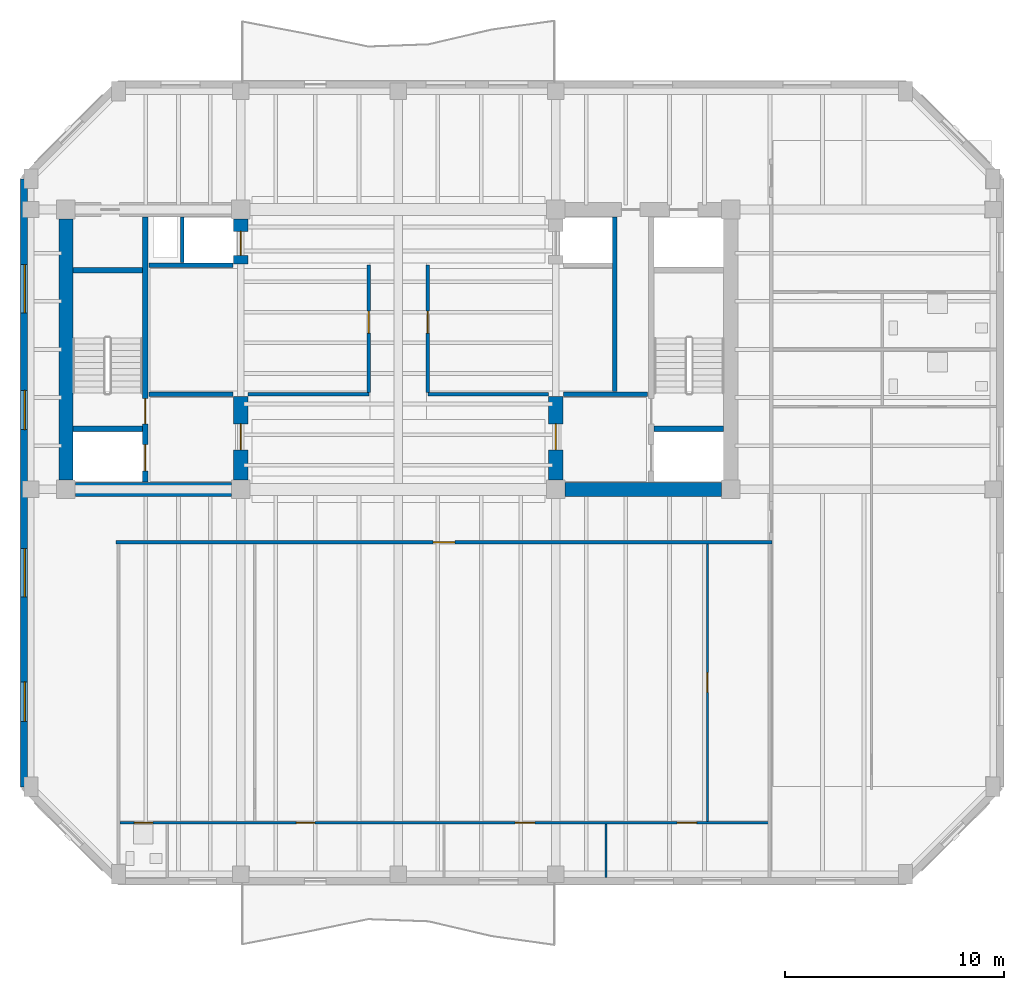
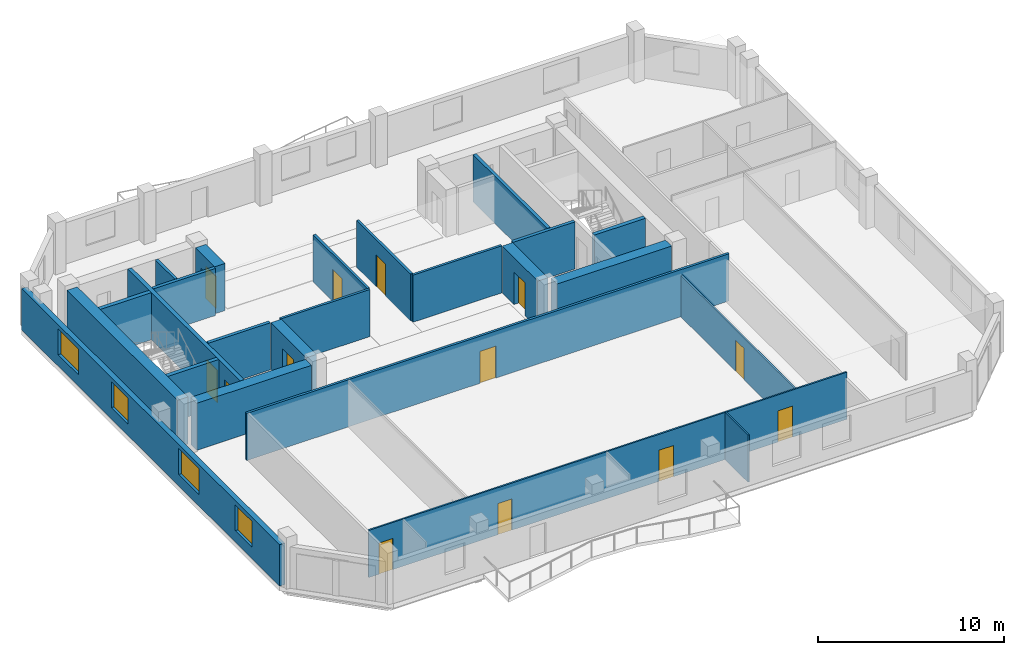
# One storey, part 3 of 9: 24 walls, 13 doors, 4 windows, 17 openings.
"""IFC4 building model written with IfcOpenShell, lengths in metres."""

from ifc_helpers import new_model, si_unit, direction, frame, frame_2d, origin, place, context, subcontext, project, spatial, rectangle, extrude, material, layer, layer_set, type_object, element, fill, save


model = new_model("IFC4")

# Units and contexts
model_context = context("Model", 3, precision=1e-05, world=origin(), true_north=direction((0.0, 1.0)))
body_context = subcontext(model_context, "Body", "Model", "MODEL_VIEW")
ifc_project = project(units=[si_unit("LENGTHUNIT", "METRE"), si_unit("AREAUNIT", "SQUARE_METRE"), si_unit("VOLUMEUNIT", "CUBIC_METRE"), si_unit("PLANEANGLEUNIT", "RADIAN"), si_unit("MASSUNIT", "GRAM", prefix="KILO")], contexts=[model_context])

# Site, building, storey
site_placement = place(None, origin())
site = spatial("IfcSite", under=ifc_project, at=site_placement, CompositionType="ELEMENT")
building_placement = place(site_placement, origin())
building = spatial("IfcBuilding", under=site, at=building_placement, Name="Kranthara Brick Stack", CompositionType="ELEMENT")
storey_placement = place(building_placement, frame((0.0, 0.0, 241.5)))
storey = spatial("IfcBuildingStorey", under=building, at=storey_placement, Name="L63", CompositionType="ELEMENT", Elevation=241.5)

# Wall, openings, windows
ifc_material_1 = material(Name="Warm buff clay brick masonry M15", Category="masonry")
ifc_layer_1 = layer(ifc_material_1, 0.320068359375)
ifc_layer_set_1 = layer_set([ifc_layer_1], Name="Warm buff clay brick masonry M15")
wall_type_1 = type_object("IfcWallType", Name="WL-BRK-UPPR-320", PredefinedType="STANDARD", material=ifc_layer_set_1)
wall_1_placement = place(storey_placement, frame((10.8798828125, 7.199951171875, 0.0), z_axis=(0.0, 0.0, 1.0), x_axis=(0.0, 1.0, 0.0)))
wall_1 = element("IfcWall", 1, at=wall_1_placement, inside=storey, type_object=wall_type_1, Name="L63 Exterior Brick Facade Wall WEST 1", PredefinedType="STANDARD", context=body_context, shape_type="SweptSolid", body=[
    extrude(rectangle(XDim=27.800048828125, YDim=0.320068359375, at=frame_2d((13.89990234375, 0.0))), origin(), (0.0, 0.0, 1.0), 2.72509765625),
])
opening_1_placement = place(wall_1_placement, frame((2.991943359375, 0.0, 0.75)))
opening_1 = element("IfcOpeningElement", 2, at=opening_1_placement, cuts=wall_1, Name="Opening WN07", PredefinedType="OPENING", context=body_context, shape_type="SweptSolid", body=[
    extrude(rectangle(XDim=1.800048828125, YDim=1.699951171875, at=frame_2d((0.89990234375, 0.85009765625))), frame((0.0, 0.169921875, 0.0), z_axis=(0.0, -1.0, 0.0), x_axis=(1.0, 0.0, 0.0)), (0.0, 0.0, 1.0), 0.340087890625),
])
opening_2_placement = place(wall_1_placement, frame((8.68408203125, 0.0, 0.75)))
opening_2 = element("IfcOpeningElement", 3, at=opening_2_placement, cuts=wall_1, Name="Opening WN08", PredefinedType="OPENING", context=body_context, shape_type="SweptSolid", body=[
    extrude(rectangle(XDim=2.199951171875, YDim=1.699951171875, at=frame_2d((1.10009765625, 0.85009765625))), frame((0.0, 0.169921875, 0.0), z_axis=(0.0, -1.0, 0.0), x_axis=(1.0, 0.0, 0.0)), (0.0, 0.0, 1.0), 0.340087890625),
])
opening_3_placement = place(wall_1_placement, frame((16.327880859375, 0.0, 0.75)))
opening_3 = element("IfcOpeningElement", 4, at=opening_3_placement, cuts=wall_1, Name="Opening WN07", PredefinedType="OPENING", context=body_context, shape_type="SweptSolid", body=[
    extrude(rectangle(XDim=1.800048828125, YDim=1.699951171875, at=frame_2d((0.89990234375, 0.85009765625))), frame((0.0, 0.169921875, 0.0), z_axis=(0.0, -1.0, 0.0), x_axis=(1.0, 0.0, 0.0)), (0.0, 0.0, 1.0), 0.340087890625),
])
opening_4_placement = place(wall_1_placement, frame((21.672119140625, 0.0, 0.75)))
opening_4 = element("IfcOpeningElement", 5, at=opening_4_placement, cuts=wall_1, Name="Opening WN08", PredefinedType="OPENING", context=body_context, shape_type="SweptSolid", body=[
    extrude(rectangle(XDim=2.199951171875, YDim=1.699951171875, at=frame_2d((1.10009765625, 0.85009765625))), frame((0.0, 0.169921875, 0.0), z_axis=(0.0, -1.0, 0.0), x_axis=(1.0, 0.0, 0.0)), (0.0, 0.0, 1.0), 0.340087890625),
])
ifc_material_2 = material(Name="Double-glazed low-E solar control glass", Category="glass")
window_type_1 = type_object("IfcWindowType", Name="WN-RES-1800x1850", PartitioningType="DOUBLE_PANEL_VERTICAL", PredefinedType="WINDOW", material=ifc_material_2)
window_1_placement = place(opening_1_placement, origin())
window_1 = element("IfcWindow", 6, at=window_1_placement, inside=storey, type_object=window_type_1, Name="L63 West Deep-Set Brick Window 01", OverallHeight=1.699951171875, OverallWidth=1.800048828125, PartitioningType="SINGLE_PANEL", PredefinedType="WINDOW", context=body_context, shape_type="SweptSolid", body=[
    extrude(rectangle(XDim=1.800048828125, YDim=1.699951171875, at=frame_2d((0.89990234375, 0.85009765625))), frame((0.0, -0.010009765625, 0.0), z_axis=(0.0, -1.0, 0.0), x_axis=(1.0, 0.0, 0.0)), (0.0, 0.0, 1.0), 0.06005859375),
])
fill(opening_1, window_1)
window_2_placement = place(opening_3_placement, origin())
window_2 = element("IfcWindow", 7, at=window_2_placement, inside=storey, type_object=window_type_1, Name="L63 West Deep-Set Brick Window 03", OverallHeight=1.699951171875, OverallWidth=1.800048828125, PartitioningType="SINGLE_PANEL", PredefinedType="WINDOW", context=body_context, shape_type="SweptSolid", body=[
    extrude(rectangle(XDim=1.800048828125, YDim=1.699951171875, at=frame_2d((0.89990234375, 0.85009765625))), frame((0.0, -0.010009765625, 0.0), z_axis=(0.0, -1.0, 0.0), x_axis=(1.0, 0.0, 0.0)), (0.0, 0.0, 1.0), 0.06005859375),
])
fill(opening_3, window_2)
ifc_material_3 = material(Name="Double-glazed low-E solar control glass", Category="glass")
window_type_2 = type_object("IfcWindowType", Name="WN-RES-2200x1850", PartitioningType="TRIPLE_PANEL_VERTICAL", PredefinedType="WINDOW", material=ifc_material_3)
window_3_placement = place(opening_2_placement, origin())
window_3 = element("IfcWindow", 8, at=window_3_placement, inside=storey, type_object=window_type_2, Name="L63 West Deep-Set Brick Window 02", OverallHeight=1.699951171875, OverallWidth=2.199951171875, PartitioningType="SINGLE_PANEL", PredefinedType="WINDOW", context=body_context, shape_type="SweptSolid", body=[
    extrude(rectangle(XDim=2.199951171875, YDim=1.699951171875, at=frame_2d((1.10009765625, 0.85009765625))), frame((0.0, -0.010009765625, 0.0), z_axis=(0.0, -1.0, 0.0), x_axis=(1.0, 0.0, 0.0)), (0.0, 0.0, 1.0), 0.06005859375),
])
fill(opening_2, window_3)
window_4_placement = place(opening_4_placement, origin())
window_4 = element("IfcWindow", 9, at=window_4_placement, inside=storey, type_object=window_type_2, Name="L63 West Deep-Set Brick Window 04", OverallHeight=1.699951171875, OverallWidth=2.199951171875, PartitioningType="SINGLE_PANEL", PredefinedType="WINDOW", context=body_context, shape_type="SweptSolid", body=[
    extrude(rectangle(XDim=2.199951171875, YDim=1.699951171875, at=frame_2d((1.10009765625, 0.85009765625))), frame((0.0, -0.010009765625, 0.0), z_axis=(0.0, -1.0, 0.0), x_axis=(1.0, 0.0, 0.0)), (0.0, 0.0, 1.0), 0.06005859375),
])
fill(opening_4, window_4)

# Wall, openings, doors
ifc_material_4 = material(Name="Concrete C50/60", Category="concrete")
ifc_layer_2 = layer(ifc_material_4, 0.25)
ifc_layer_set_2 = layer_set([ifc_layer_2], Name="Concrete C50/60")
wall_type_2 = type_object("IfcWallType", Name="WL-CORE-250", PredefinedType="SHEAR", material=ifc_layer_set_2)
wall_2_placement = place(storey_placement, frame((16.43505859375, 21.135009765625, 0.0), z_axis=(0.0, 0.0, 1.0), x_axis=(0.0, 1.0, 0.0)))
wall_2 = element("IfcWall", 10, at=wall_2_placement, inside=storey, type_object=wall_type_2, Name="L63 West Core Stair Bearing Spine Wall", PredefinedType="SHEAR", context=body_context, shape_type="SweptSolid", body=[
    extrude(rectangle(XDim=12.1298828125, YDim=0.25, at=frame_2d((6.06494140625, 0.0))), origin(), (0.0, 0.0, 1.0), 3.10009765625),
])
opening_5_placement = place(wall_2_placement, frame((0.514892578125, 0.0, 0.0)))
opening_5 = element("IfcOpeningElement", 11, at=opening_5_placement, cuts=wall_2, Name="Opening LD01", PredefinedType="OPENING", context=body_context, shape_type="SweptSolid", body=[
    extrude(rectangle(XDim=1.199951171875, YDim=2.14990234375, at=frame_2d((0.60009765625, 1.074951171875))), frame((0.0, 0.135009765625, 0.0), z_axis=(0.0, -1.0, 0.0), x_axis=(1.0, 0.0, 0.0)), (0.0, 0.0, 1.0), 0.27001953125),
])
opening_6_placement = place(wall_2_placement, frame((2.6650390625, 0.0, 0.0)))
opening_6 = element("IfcOpeningElement", 12, at=opening_6_placement, cuts=wall_2, Name="Opening D05", PredefinedType="OPENING", context=body_context, shape_type="SweptSolid", body=[
    extrude(rectangle(XDim=1.14990234375, YDim=2.14990234375, at=frame_2d((0.574951171875, 1.074951171875))), frame((0.0, 0.135009765625, 0.0), z_axis=(0.0, -1.0, 0.0), x_axis=(1.0, 0.0, 0.0)), (0.0, 0.0, 1.0), 0.27001953125),
])
ifc_material_5 = material(Name="Stainless steel sliding landing door", Category="steel")
door_type_1 = type_object("IfcDoorType", Name="DR-LD-FF1200", OperationType="DOUBLE_DOOR_SLIDING", PredefinedType="DOOR", material=ifc_material_5)
door_1_placement = place(opening_5_placement, origin())
door_1 = element("IfcDoor", 13, at=door_1_placement, inside=storey, type_object=door_type_1, Name="L63 Firefighting Lift FF-01 Landing Door", OperationType="DOUBLE_DOOR_SLIDING", OverallHeight=2.14990234375, OverallWidth=1.199951171875, PredefinedType="DOOR", context=body_context, shape_type="SweptSolid", body=[
    extrude(rectangle(XDim=1.199951171875, YDim=2.14990234375, at=frame_2d((0.60009765625, 1.074951171875))), frame((0.0, 0.02490234375, 0.0), z_axis=(0.0, -1.0, 0.0), x_axis=(1.0, 0.0, 0.0)), (0.0, 0.0, 1.0), 0.050048828125),
])
fill(opening_5, door_1)
ifc_material_6 = material(Name="Solid-core hardwood timber leaf in steel frame", Category="steel")
door_type_2 = type_object("IfcDoorType", Name="DR-ST-1150", OperationType="NOTDEFINED", PredefinedType="DOOR", material=ifc_material_6)
door_2_placement = place(opening_6_placement, origin())
door_2 = element("IfcDoor", 14, at=door_2_placement, inside=storey, type_object=door_type_2, Name="L63 Exit Stair ST01 Door", OperationType="SINGLE_SWING_RIGHT", OverallHeight=2.14990234375, OverallWidth=1.14990234375, PredefinedType="DOOR", context=body_context, shape_type="SweptSolid", body=[
    extrude(rectangle(XDim=1.14990234375, YDim=2.14990234375, at=frame_2d((0.574951171875, 1.074951171875))), frame((0.0, 0.02490234375, 0.0), z_axis=(0.0, -1.0, 0.0), x_axis=(1.0, 0.0, 0.0)), (0.0, 0.0, 1.0), 0.050048828125),
])
fill(opening_6, door_2)

# Walls
for number, where, z_axis, x_axis, name in (
    (15, (13.135009765625, 23.570068359375, 0.0), (0.0, 0.0, 1.0), (1.0, 0.0, 0.0), "L63 West Stairwell Bearing Wall WFF"),
    (16, (13.135009765625, 30.830078125, 0.0), (0.0, 0.0, 1.0), (1.0, 0.0, 0.0), "L63 West Stairwell Bearing Wall WST"),
    (17, (39.68994140625, 23.570068359375, 0.0), (0.0, 0.0, 1.0), (1.0, 0.0, 0.0), "L63 East Stairwell Bearing Wall EFF"),
):
    element("IfcWall", number, at=place(storey_placement, frame(where, z_axis=z_axis, x_axis=x_axis)), inside=storey, type_object=wall_type_2, Name=name, PredefinedType="SHEAR", context=body_context, shape_type="SweptSolid", body=[
        extrude(rectangle(XDim=3.175048828125, YDim=0.25, at=frame_2d((1.58740234375, 0.0))), origin(), (0.0, 0.0, 1.0), 3.10009765625),
    ])
ifc_material_7 = material(Name="Concrete C60/75", Category="concrete")
ifc_layer_3 = layer(ifc_material_7, 0.64990234375)
ifc_layer_set_3 = layer_set([ifc_layer_3], Name="Concrete C60/75")
wall_type_3 = type_object("IfcWallType", Name="WL-CORE-650", PredefinedType="SHEAR", material=ifc_layer_set_3)
wall_3_placement = place(storey_placement, frame((12.800048828125, 21.22998046875, 0.0), z_axis=(0.0, 0.0, 1.0), x_axis=(0.0, 1.0, 0.0)))
element("IfcWall", 18, at=wall_3_placement, inside=storey, type_object=wall_type_3, Name="L63 West Core Shear Wall West", PredefinedType="SHEAR", context=body_context, shape_type="SweptSolid", body=[
    extrude(rectangle(XDim=11.93994140625, YDim=0.64990234375, at=frame_2d((5.969970703125, 0.0))), origin(), (0.0, 0.0, 1.0), 3.10009765625),
])
wall_4_placement = place(storey_placement, frame((13.22998046875, 20.800048828125, 0.0), z_axis=(0.0, 0.0, 1.0), x_axis=(1.0, 0.0, 0.0)))
element("IfcWall", 19, at=wall_4_placement, inside=storey, type_object=wall_type_3, Name="L63 West Core Shear Wall South", PredefinedType="SHEAR", context=body_context, shape_type="SweptSolid", body=[
    extrude(rectangle(XDim=7.14013671875, YDim=0.64990234375, at=frame_2d((3.570068359375, 0.0))), origin(), (0.0, 0.0, 1.0), 3.10009765625),
])

# Wall, opening, door
wall_5_placement = place(storey_placement, frame((20.800048828125, 21.22998046875, 0.0), z_axis=(0.0, 0.0, 1.0), x_axis=(0.0, 1.0, 0.0)))
wall_5 = element("IfcWall", 20, at=wall_5_placement, inside=storey, type_object=wall_type_3, Name="L63 West Core Lobby Shear Wall", PredefinedType="SHEAR", context=body_context, shape_type="SweptSolid", body=[
    extrude(rectangle(XDim=3.820068359375, YDim=0.64990234375, at=frame_2d((1.91015625, 0.0))), origin(), (0.0, 0.0, 1.0), 3.10009765625),
])
opening_7_placement = place(wall_5_placement, frame((1.3701171875, 0.0, 0.0)))
opening_7 = element("IfcOpeningElement", 21, at=opening_7_placement, cuts=wall_5, Name="Opening D06", PredefinedType="OPENING", context=body_context, shape_type="SweptSolid", body=[
    extrude(rectangle(XDim=1.199951171875, YDim=2.14990234375, at=frame_2d((0.60009765625, 1.074951171875))), frame((0.0, 0.3349609375, 0.0), z_axis=(0.0, -1.0, 0.0), x_axis=(1.0, 0.0, 0.0)), (0.0, 0.0, 1.0), 0.669921875),
])
ifc_material_8 = material(Name="Solid-core hardwood timber leaf in steel frame", Category="steel")
door_type_3 = type_object("IfcDoorType", Name="DR-FFL-1200", OperationType="NOTDEFINED", PredefinedType="DOOR", material=ifc_material_8)
door_3_placement = place(opening_7_placement, origin())
door_3 = element("IfcDoor", 22, at=door_3_placement, inside=storey, type_object=door_type_3, Name="L63 West Firefighting Lobby Door", OperationType="SINGLE_SWING_LEFT", OverallHeight=2.14990234375, OverallWidth=1.199951171875, PredefinedType="DOOR", context=body_context, shape_type="SweptSolid", body=[
    extrude(rectangle(XDim=1.199951171875, YDim=2.14990234375, at=frame_2d((0.60009765625, 1.074951171875))), frame((0.0, 0.02490234375, 0.0), z_axis=(0.0, -1.0, 0.0), x_axis=(1.0, 0.0, 0.0)), (0.0, 0.0, 1.0), 0.050048828125),
])
fill(opening_7, door_3)

wall_6_placement = place(storey_placement, frame((20.800048828125, 31.10009765625, 0.0), z_axis=(0.0, 0.0, 1.0), x_axis=(0.0, 1.0, 0.0)))
wall_6 = element("IfcWall", 23, at=wall_6_placement, inside=storey, type_object=wall_type_3, Name="L63 West Core High-Rise Lift Wall", PredefinedType="SHEAR", context=body_context, shape_type="SweptSolid", body=[
    extrude(rectangle(XDim=2.06982421875, YDim=0.64990234375, at=frame_2d((1.034912109375, 0.0))), origin(), (0.0, 0.0, 1.0), 3.10009765625),
])
opening_8_placement = place(wall_6_placement, frame((0.39990234375, 0.0, 0.0)))
opening_8 = element("IfcOpeningElement", 24, at=opening_8_placement, cuts=wall_6, Name="Opening LD02", PredefinedType="OPENING", context=body_context, shape_type="SweptSolid", body=[
    extrude(rectangle(XDim=1.10009765625, YDim=2.10009765625, at=frame_2d((0.550048828125, 1.050048828125))), frame((0.0, 0.3349609375, 0.0), z_axis=(0.0, -1.0, 0.0), x_axis=(1.0, 0.0, 0.0)), (0.0, 0.0, 1.0), 0.669921875),
])
ifc_material_9 = material(Name="Stainless steel sliding landing door", Category="steel")
door_type_4 = type_object("IfcDoorType", Name="DR-LD-PL1100", OperationType="DOUBLE_DOOR_SLIDING", PredefinedType="DOOR", material=ifc_material_9)
door_4_placement = place(opening_8_placement, origin())
door_4 = element("IfcDoor", 25, at=door_4_placement, inside=storey, type_object=door_type_4, Name="L63 PL-07 Lift Landing Door", OperationType="DOUBLE_DOOR_SLIDING", OverallHeight=2.10009765625, OverallWidth=1.10009765625, PredefinedType="DOOR", context=body_context, shape_type="SweptSolid", body=[
    extrude(rectangle(XDim=1.10009765625, YDim=2.10009765625, at=frame_2d((0.550048828125, 1.050048828125))), frame((0.0, 0.02490234375, 0.0), z_axis=(0.0, -1.0, 0.0), x_axis=(1.0, 0.0, 0.0)), (0.0, 0.0, 1.0), 0.050048828125),
])
fill(opening_8, door_4)

# Wall
wall_7_placement = place(storey_placement, frame((35.6298828125, 20.800048828125, 0.0), z_axis=(0.0, 0.0, 1.0), x_axis=(1.0, 0.0, 0.0)))
element("IfcWall", 26, at=wall_7_placement, inside=storey, type_object=wall_type_3, Name="L63 East Core Shear Wall South", PredefinedType="SHEAR", context=body_context, shape_type="SweptSolid", body=[
    extrude(rectangle(XDim=7.14013671875, YDim=0.64990234375, at=frame_2d((3.570068359375, 0.0))), origin(), (0.0, 0.0, 1.0), 3.10009765625),
])

# Wall, opening, door
wall_8_placement = place(storey_placement, frame((35.199951171875, 21.22998046875, 0.0), z_axis=(0.0, 0.0, 1.0), x_axis=(0.0, 1.0, 0.0)))
wall_8 = element("IfcWall", 27, at=wall_8_placement, inside=storey, type_object=wall_type_3, Name="L63 East Core Lobby Shear Wall", PredefinedType="SHEAR", context=body_context, shape_type="SweptSolid", body=[
    extrude(rectangle(XDim=3.820068359375, YDim=0.64990234375, at=frame_2d((1.91015625, 0.0))), origin(), (0.0, 0.0, 1.0), 3.10009765625),
])
opening_9_placement = place(wall_8_placement, frame((1.3701171875, 0.0, 0.0)))
opening_9 = element("IfcOpeningElement", 28, at=opening_9_placement, cuts=wall_8, Name="Opening D06", PredefinedType="OPENING", context=body_context, shape_type="SweptSolid", body=[
    extrude(rectangle(XDim=1.199951171875, YDim=2.14990234375, at=frame_2d((0.60009765625, 1.074951171875))), frame((0.0, 0.3349609375, 0.0), z_axis=(0.0, -1.0, 0.0), x_axis=(1.0, 0.0, 0.0)), (0.0, 0.0, 1.0), 0.669921875),
])
door_5_placement = place(opening_9_placement, origin())
door_5 = element("IfcDoor", 29, at=door_5_placement, inside=storey, type_object=door_type_3, Name="L63 East Firefighting Lobby Door", OperationType="SINGLE_SWING_RIGHT", OverallHeight=2.14990234375, OverallWidth=1.199951171875, PredefinedType="DOOR", context=body_context, shape_type="SweptSolid", body=[
    extrude(rectangle(XDim=1.199951171875, YDim=2.14990234375, at=frame_2d((0.60009765625, 1.074951171875))), frame((0.0, 0.02490234375, 0.0), z_axis=(0.0, -1.0, 0.0), x_axis=(1.0, 0.0, 0.0)), (0.0, 0.0, 1.0), 0.050048828125),
])
fill(opening_9, door_5)

# Wall, openings, doors
ifc_material_10 = material(Name="Moisture-resistant wet-room partition", Category="other")
ifc_layer_4 = layer(ifc_material_10, 0.10009765625)
ifc_layer_set_4 = layer_set([ifc_layer_4], Name="Moisture-resistant wet-room partition")
wall_type_4 = type_object("IfcWallType", Name="WL-PART-100", PredefinedType="PARTITIONING", material=ifc_layer_set_4)
wall_9_placement = place(storey_placement, frame((15.280029296875, 5.550048828125, 0.0), z_axis=(0.0, 0.0, 1.0), x_axis=(1.0, 0.0, 0.0)))
wall_9 = element("IfcWall", 30, at=wall_9_placement, inside=storey, type_object=wall_type_4, Name="L63 Interior Partition 007", PredefinedType="PARTITIONING", context=body_context, shape_type="SweptSolid", body=[
    extrude(rectangle(XDim=29.739990234375, YDim=0.10009765625, at=frame_2d((14.8701171875, 0.0))), origin(), (0.0, 0.0, 1.0), 3.10009765625),
])
opening_10_placement = place(wall_9_placement, frame((0.64990234375, 0.0, 0.0)))
opening_10 = element("IfcOpeningElement", 31, at=opening_10_placement, cuts=wall_9, Name="Opening D17", PredefinedType="OPENING", context=body_context, shape_type="SweptSolid", body=[
    extrude(rectangle(XDim=0.85009765625, YDim=2.050048828125, at=frame_2d((0.425048828125, 1.02490234375))), frame((0.0, 0.06005859375, 0.0), z_axis=(0.0, -1.0, 0.0), x_axis=(1.0, 0.0, 0.0)), (0.0, 0.0, 1.0), 0.1201171875),
])
opening_11_placement = place(wall_9_placement, frame((8.054931640625, 0.0, 0.0)))
opening_11 = element("IfcOpeningElement", 32, at=opening_11_placement, cuts=wall_9, Name="Opening D16", PredefinedType="OPENING", context=body_context, shape_type="SweptSolid", body=[
    extrude(rectangle(XDim=0.85009765625, YDim=2.050048828125, at=frame_2d((0.425048828125, 1.02490234375))), frame((0.0, 0.06005859375, 0.0), z_axis=(0.0, -1.0, 0.0), x_axis=(1.0, 0.0, 0.0)), (0.0, 0.0, 1.0), 0.1201171875),
])
opening_12_placement = place(wall_9_placement, frame((18.06201171875, 0.0, 0.0)))
opening_12 = element("IfcOpeningElement", 33, at=opening_12_placement, cuts=wall_9, Name="Opening D15", PredefinedType="OPENING", context=body_context, shape_type="SweptSolid", body=[
    extrude(rectangle(XDim=0.89990234375, YDim=2.050048828125, at=frame_2d((0.449951171875, 1.02490234375))), frame((0.0, 0.06005859375, 0.0), z_axis=(0.0, -1.0, 0.0), x_axis=(1.0, 0.0, 0.0)), (0.0, 0.0, 1.0), 0.1201171875),
])
opening_13_placement = place(wall_9_placement, frame((25.468017578125, 0.0, 0.0)))
opening_13 = element("IfcOpeningElement", 34, at=opening_13_placement, cuts=wall_9, Name="Opening D15", PredefinedType="OPENING", context=body_context, shape_type="SweptSolid", body=[
    extrude(rectangle(XDim=0.89990234375, YDim=2.050048828125, at=frame_2d((0.449951171875, 1.02490234375))), frame((0.0, 0.06005859375, 0.0), z_axis=(0.0, -1.0, 0.0), x_axis=(1.0, 0.0, 0.0)), (0.0, 0.0, 1.0), 0.1201171875),
])
ifc_material_11 = material(Name="Solid-core hardwood timber leaf in steel frame", Category="steel")
door_type_5 = type_object("IfcDoorType", Name="DR-INT-850", OperationType="NOTDEFINED", PredefinedType="DOOR", material=ifc_material_11)
door_6_placement = place(opening_11_placement, origin())
door_6 = element("IfcDoor", 35, at=door_6_placement, inside=storey, type_object=door_type_5, Name="L63 Unit L63A Kitchen 07", OperationType="SINGLE_SWING_LEFT", OverallHeight=2.050048828125, OverallWidth=0.85009765625, PredefinedType="DOOR", context=body_context, shape_type="SweptSolid", body=[
    extrude(rectangle(XDim=0.85009765625, YDim=2.050048828125, at=frame_2d((0.425048828125, 1.02490234375))), frame((0.0, 0.02490234375, 0.0), z_axis=(0.0, -1.0, 0.0), x_axis=(1.0, 0.0, 0.0)), (0.0, 0.0, 1.0), 0.050048828125),
])
fill(opening_11, door_6)
ifc_material_12 = material(Name="Solid-core hardwood timber leaf in steel frame", Category="steel")
door_type_6 = type_object("IfcDoorType", Name="DR-INT-900", OperationType="NOTDEFINED", PredefinedType="DOOR", material=ifc_material_12)
door_7_placement = place(opening_12_placement, origin())
door_7 = element("IfcDoor", 36, at=door_7_placement, inside=storey, type_object=door_type_6, Name="L63 Unit L63A Master Bedroom 08", OperationType="SINGLE_SWING_RIGHT", OverallHeight=2.050048828125, OverallWidth=0.89990234375, PredefinedType="DOOR", context=body_context, shape_type="SweptSolid", body=[
    extrude(rectangle(XDim=0.89990234375, YDim=2.050048828125, at=frame_2d((0.449951171875, 1.02490234375))), frame((0.0, 0.02490234375, 0.0), z_axis=(0.0, -1.0, 0.0), x_axis=(1.0, 0.0, 0.0)), (0.0, 0.0, 1.0), 0.050048828125),
])
fill(opening_12, door_7)
door_8_placement = place(opening_13_placement, origin())
door_8 = element("IfcDoor", 37, at=door_8_placement, inside=storey, type_object=door_type_6, Name="L63 Unit L63A Bedroom 2 09", OperationType="SINGLE_SWING_LEFT", OverallHeight=2.050048828125, OverallWidth=0.89990234375, PredefinedType="DOOR", context=body_context, shape_type="SweptSolid", body=[
    extrude(rectangle(XDim=0.89990234375, YDim=2.050048828125, at=frame_2d((0.449951171875, 1.02490234375))), frame((0.0, 0.02490234375, 0.0), z_axis=(0.0, -1.0, 0.0), x_axis=(1.0, 0.0, 0.0)), (0.0, 0.0, 1.0), 0.050048828125),
])
fill(opening_13, door_8)
ifc_material_13 = material(Name="Solid-core hardwood timber leaf in steel frame", Category="steel")
door_type_7 = type_object("IfcDoorType", Name="DR-WET-850", OperationType="NOTDEFINED", PredefinedType="DOOR", material=ifc_material_13)
door_9_placement = place(opening_10_placement, origin())
door_9 = element("IfcDoor", 38, at=door_9_placement, inside=storey, type_object=door_type_7, Name="L63 Unit L63A Bathroom 06", OperationType="SINGLE_SWING_RIGHT", OverallHeight=2.050048828125, OverallWidth=0.85009765625, PredefinedType="DOOR", context=body_context, shape_type="SweptSolid", body=[
    extrude(rectangle(XDim=0.85009765625, YDim=2.050048828125, at=frame_2d((0.425048828125, 1.02490234375))), frame((0.0, 0.02490234375, 0.0), z_axis=(0.0, -1.0, 0.0), x_axis=(1.0, 0.0, 0.0)), (0.0, 0.0, 1.0), 0.050048828125),
])
fill(opening_10, door_9)

# Wall, opening, door
wall_10_placement = place(storey_placement, frame((42.137939453125, 5.60498046875, 0.0), z_axis=(0.0, 0.0, 1.0), x_axis=(0.0, 1.0, 0.0)))
wall_10 = element("IfcWall", 39, at=wall_10_placement, inside=storey, type_object=wall_type_4, Name="L63 Interior Partition 008", PredefinedType="PARTITIONING", context=body_context, shape_type="SweptSolid", body=[
    extrude(rectangle(XDim=12.695068359375, YDim=0.10009765625, at=frame_2d((6.34765625, 0.0))), origin(), (0.0, 0.0, 1.0), 2.72509765625),
])
opening_14_placement = place(wall_10_placement, frame((5.909912109375, 0.0, 0.0)))
opening_14 = element("IfcOpeningElement", 40, at=opening_14_placement, cuts=wall_10, Name="Opening D15", PredefinedType="OPENING", context=body_context, shape_type="SweptSolid", body=[
    extrude(rectangle(XDim=0.89990234375, YDim=2.050048828125, at=frame_2d((0.449951171875, 1.02490234375))), frame((0.0, 0.06005859375, 0.0), z_axis=(0.0, -1.0, 0.0), x_axis=(1.0, 0.0, 0.0)), (0.0, 0.0, 1.0), 0.1201171875),
])
door_10_placement = place(opening_14_placement, origin())
door_10 = element("IfcDoor", 41, at=door_10_placement, inside=storey, type_object=door_type_6, Name="L63 Unit L63A Bedroom 3 04", OperationType="SINGLE_SWING_RIGHT", OverallHeight=2.050048828125, OverallWidth=0.89990234375, PredefinedType="DOOR", context=body_context, shape_type="SweptSolid", body=[
    extrude(rectangle(XDim=0.89990234375, YDim=2.050048828125, at=frame_2d((0.449951171875, 1.02490234375))), frame((0.0, 0.02490234375, 0.0), z_axis=(0.0, -1.0, 0.0), x_axis=(1.0, 0.0, 0.0)), (0.0, 0.0, 1.0), 0.050048828125),
])
fill(opening_14, door_10)

# Walls
wall_11_placement = place(storey_placement, frame((37.4951171875, 3.044921875, 0.0), z_axis=(0.0, 0.0, 1.0), x_axis=(0.0, 1.0, 0.0)))
element("IfcWall", 42, at=wall_11_placement, inside=storey, type_object=wall_type_4, Name="L63 Interior Partition 012", PredefinedType="PARTITIONING", context=body_context, shape_type="SweptSolid", body=[
    extrude(rectangle(XDim=2.4501953125, YDim=0.10009765625, at=frame_2d((1.22509765625, 0.0))), origin(), (0.0, 0.0, 1.0), 3.10009765625),
])
ifc_material_14 = material(Name="Fire-rated gypsum board partition", Category="other")
ifc_layer_5 = layer(ifc_material_14, 0.14990234375)
ifc_layer_set_5 = layer_set([ifc_layer_5], Name="Fire-rated gypsum board partition")
wall_type_5 = type_object("IfcWallType", Name="WL-PART-150", PredefinedType="PARTITIONING", material=ifc_layer_set_5)
for number, where, z_axis, x_axis, name in (
    (43, (21.1298828125, 25.14990234375, 0.0), (0.0, 0.0, 1.0), (1.0, 0.0, 0.0), "L63 Interior Partition 001"),
    (44, (29.35009765625, 25.14990234375, 0.0), (0.0, 0.0, 1.0), (1.0, 0.0, 0.0), "L63 Interior Partition 002"),
):
    element("IfcWall", number, at=place(storey_placement, frame(where, z_axis=z_axis, x_axis=x_axis)), inside=storey, type_object=wall_type_5, Name=name, PredefinedType="PARTITIONING", context=body_context, shape_type="SweptSolid", body=[
        extrude(rectangle(XDim=5.52001953125, YDim=0.14990234375, at=frame_2d((2.760009765625, 0.0))), origin(), (0.0, 0.0, 1.0), 3.10009765625),
    ])

# Wall, opening, door
wall_12_placement = place(storey_placement, frame((26.64990234375, 25.22998046875, 0.0), z_axis=(0.0, 0.0, 1.0), x_axis=(0.0, 1.0, 0.0)))
wall_12 = element("IfcWall", 45, at=wall_12_placement, inside=storey, type_object=wall_type_5, Name="L63 Interior Partition 003", PredefinedType="PARTITIONING", context=body_context, shape_type="SweptSolid", body=[
    extrude(rectangle(XDim=5.820068359375, YDim=0.14990234375, at=frame_2d((2.91015625, 0.0))), origin(), (0.0, 0.0, 1.0), 3.10009765625),
])
opening_15_placement = place(wall_12_placement, frame((2.719970703125, 0.0, 0.0)))
opening_15 = element("IfcOpeningElement", 46, at=opening_15_placement, cuts=wall_12, Name="Opening D08", PredefinedType="OPENING", context=body_context, shape_type="SweptSolid", body=[
    extrude(rectangle(XDim=1.0, YDim=2.10009765625, at=frame_2d((0.5, 1.050048828125))), frame((0.0, 0.0849609375, 0.0), z_axis=(0.0, -1.0, 0.0), x_axis=(1.0, 0.0, 0.0)), (0.0, 0.0, 1.0), 0.169921875),
])
ifc_material_15 = material(Name="Solid-core hardwood timber leaf in steel frame", Category="steel")
door_type_8 = type_object("IfcDoorType", Name="DR-FD-1000", OperationType="NOTDEFINED", PredefinedType="DOOR", material=ifc_material_15)
door_11_placement = place(opening_15_placement, origin())
door_11 = element("IfcDoor", 47, at=door_11_placement, inside=storey, type_object=door_type_8, Name="L63 Residents Study Salon 01", OperationType="SINGLE_SWING_LEFT", OverallHeight=2.10009765625, OverallWidth=1.0, PredefinedType="DOOR", context=body_context, shape_type="SweptSolid", body=[
    extrude(rectangle(XDim=1.0, YDim=2.10009765625, at=frame_2d((0.5, 1.050048828125))), frame((0.0, 0.02490234375, 0.0), z_axis=(0.0, -1.0, 0.0), x_axis=(1.0, 0.0, 0.0)), (0.0, 0.0, 1.0), 0.050048828125),
])
fill(opening_15, door_11)

wall_13_placement = place(storey_placement, frame((29.35009765625, 25.22998046875, 0.0), z_axis=(0.0, 0.0, 1.0), x_axis=(0.0, 1.0, 0.0)))
wall_13 = element("IfcWall", 48, at=wall_13_placement, inside=storey, type_object=wall_type_5, Name="L63 Interior Partition 004", PredefinedType="PARTITIONING", context=body_context, shape_type="SweptSolid", body=[
    extrude(rectangle(XDim=5.820068359375, YDim=0.14990234375, at=frame_2d((2.91015625, 0.0))), origin(), (0.0, 0.0, 1.0), 3.10009765625),
])
opening_16_placement = place(wall_13_placement, frame((2.719970703125, 0.0, 0.0)))
opening_16 = element("IfcOpeningElement", 49, at=opening_16_placement, cuts=wall_13, Name="Opening D08", PredefinedType="OPENING", context=body_context, shape_type="SweptSolid", body=[
    extrude(rectangle(XDim=1.0, YDim=2.10009765625, at=frame_2d((0.5, 1.050048828125))), frame((0.0, 0.0849609375, 0.0), z_axis=(0.0, -1.0, 0.0), x_axis=(1.0, 0.0, 0.0)), (0.0, 0.0, 1.0), 0.169921875),
])
door_12_placement = place(opening_16_placement, origin())
door_12 = element("IfcDoor", 50, at=door_12_placement, inside=storey, type_object=door_type_8, Name="L63 Private Dining Lounge 02", OperationType="SINGLE_SWING_RIGHT", OverallHeight=2.10009765625, OverallWidth=1.0, PredefinedType="DOOR", context=body_context, shape_type="SweptSolid", body=[
    extrude(rectangle(XDim=1.0, YDim=2.10009765625, at=frame_2d((0.5, 1.050048828125))), frame((0.0, 0.02490234375, 0.0), z_axis=(0.0, -1.0, 0.0), x_axis=(1.0, 0.0, 0.0)), (0.0, 0.0, 1.0), 0.050048828125),
])
fill(opening_16, door_12)

wall_14_placement = place(storey_placement, frame((15.080078125, 18.3798828125, 0.0), z_axis=(0.0, 0.0, 1.0), x_axis=(1.0, 0.0, 0.0)))
wall_14 = element("IfcWall", 51, at=wall_14_placement, inside=storey, type_object=wall_type_5, Name="L63 Interior Partition 005", PredefinedType="PARTITIONING", context=body_context, shape_type="SweptSolid", body=[
    extrude(rectangle(XDim=30.02001953125, YDim=0.14990234375, at=frame_2d((15.010009765625, 0.0))), origin(), (0.0, 0.0, 1.0), 3.10009765625),
])
opening_17_placement = place(wall_14_placement, frame((14.510009765625, 0.0, 0.0)))
opening_17 = element("IfcOpeningElement", 52, at=opening_17_placement, cuts=wall_14, Name="Opening D08", PredefinedType="OPENING", context=body_context, shape_type="SweptSolid", body=[
    extrude(rectangle(XDim=1.0, YDim=2.10009765625, at=frame_2d((0.5, 1.050048828125))), frame((0.0, 0.0849609375, 0.0), z_axis=(0.0, -1.0, 0.0), x_axis=(1.0, 0.0, 0.0)), (0.0, 0.0, 1.0), 0.169921875),
])
door_13_placement = place(opening_17_placement, origin())
door_13 = element("IfcDoor", 53, at=door_13_placement, inside=storey, type_object=door_type_8, Name="L63 Unit L63A Entrance 03", OperationType="SINGLE_SWING_LEFT", OverallHeight=2.10009765625, OverallWidth=1.0, PredefinedType="DOOR", context=body_context, shape_type="SweptSolid", body=[
    extrude(rectangle(XDim=1.0, YDim=2.10009765625, at=frame_2d((0.5, 1.050048828125))), frame((0.0, 0.02490234375, 0.0), z_axis=(0.0, -1.0, 0.0), x_axis=(1.0, 0.0, 0.0)), (0.0, 0.0, 1.0), 0.050048828125),
])
fill(opening_17, door_13)

# Walls
ifc_material_16 = material(Name="Gypsum plasterboard on acoustic twin stud", Category="other")
ifc_layer_6 = layer(ifc_material_16, 0.179931640625)
ifc_layer_set_6 = layer_set([ifc_layer_6], Name="Gypsum plasterboard on acoustic twin stud")
wall_type_6 = type_object("IfcWallType", Name="WL-PART-180", PredefinedType="PARTITIONING", material=ifc_layer_set_6)
wall_15_placement = place(storey_placement, frame((18.1201171875, 31.169921875, 0.0), z_axis=(0.0, 0.0, 1.0), x_axis=(0.0, 1.0, 0.0)))
element("IfcWall", 54, at=wall_15_placement, inside=storey, type_object=wall_type_6, Name="L63 PL-07 Shaft Back Wall", PredefinedType="PARTITIONING", context=body_context, shape_type="SweptSolid", body=[
    extrude(rectangle(XDim=2.094970703125, YDim=0.179931640625, at=frame_2d((1.04736328125, 0.0))), origin(), (0.0, 0.0, 1.0), 3.10009765625),
])
ifc_material_17 = material(Name="Concrete C40/50", Category="concrete")
ifc_layer_7 = layer(ifc_material_17, 0.199951171875)
ifc_layer_set_7 = layer_set([ifc_layer_7], Name="Concrete C40/50")
wall_type_7 = type_object("IfcWallType", Name="WL-PART-200", PredefinedType="SOLIDWALL", material=ifc_layer_set_7)
for number, where, z_axis, x_axis, name in (
    (55, (16.60009765625, 25.14990234375, 0.0), (0.0, 0.0, 1.0), (1.0, 0.0, 0.0), "L63 West Core Cross Wall WFL"),
    (56, (16.60009765625, 31.050048828125, 0.0), (0.0, 0.0, 1.0), (1.0, 0.0, 0.0), "L63 West Core Cross Wall WH4"),
    (57, (35.550048828125, 25.14990234375, 0.0), (0.0, 0.0, 1.0), (1.0, 0.0, 0.0), "L63 East Core Cross Wall EFL"),
):
    element("IfcWall", number, at=place(storey_placement, frame(where, z_axis=z_axis, x_axis=x_axis)), inside=storey, type_object=wall_type_7, Name=name, PredefinedType="SOLIDWALL", context=body_context, shape_type="SweptSolid", body=[
        extrude(rectangle(XDim=3.849853515625, YDim=0.199951171875, at=frame_2d((1.9248046875, 0.0))), origin(), (0.0, 0.0, 1.0), 3.10009765625),
    ])
wall_16_placement = place(storey_placement, frame((37.89990234375, 25.27001953125, 0.0), z_axis=(0.0, 0.0, 1.0), x_axis=(0.0, 1.0, 0.0)))
element("IfcWall", 58, at=wall_16_placement, inside=storey, type_object=wall_type_7, Name="L63 East Core Cross Wall ESV", PredefinedType="SOLIDWALL", context=body_context, shape_type="SweptSolid", body=[
    extrude(rectangle(XDim=7.994873046875, YDim=0.199951171875, at=frame_2d((3.99755859375, 0.0))), origin(), (0.0, 0.0, 1.0), 3.10009765625),
])

save(model, "model.ifc")
